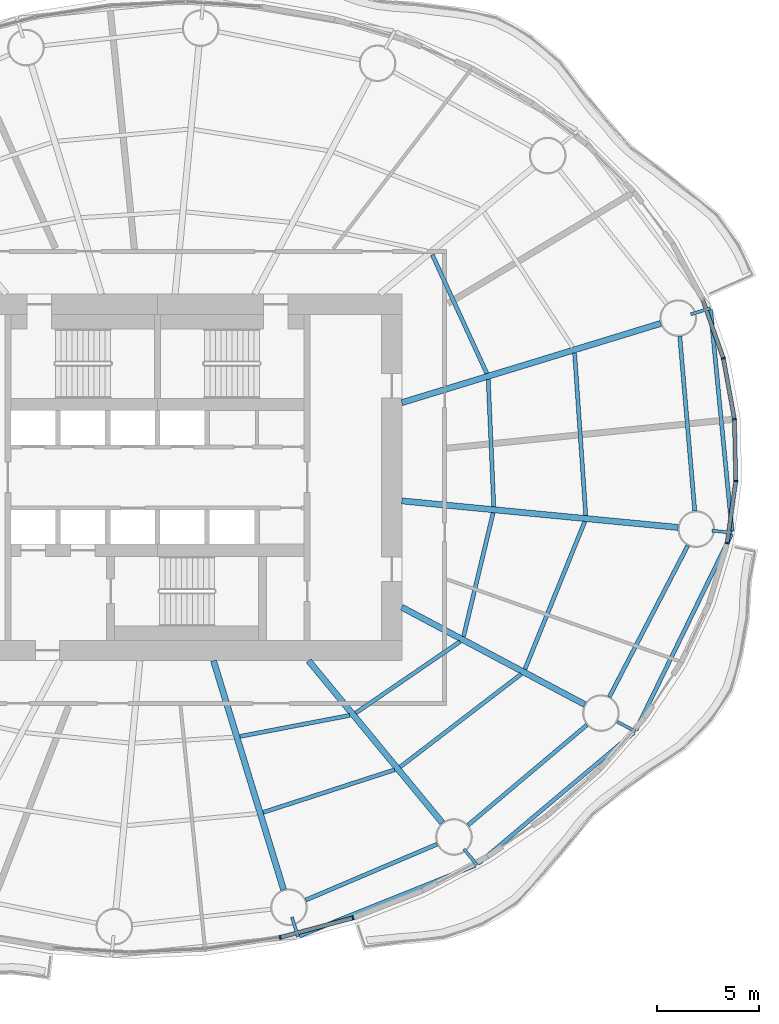
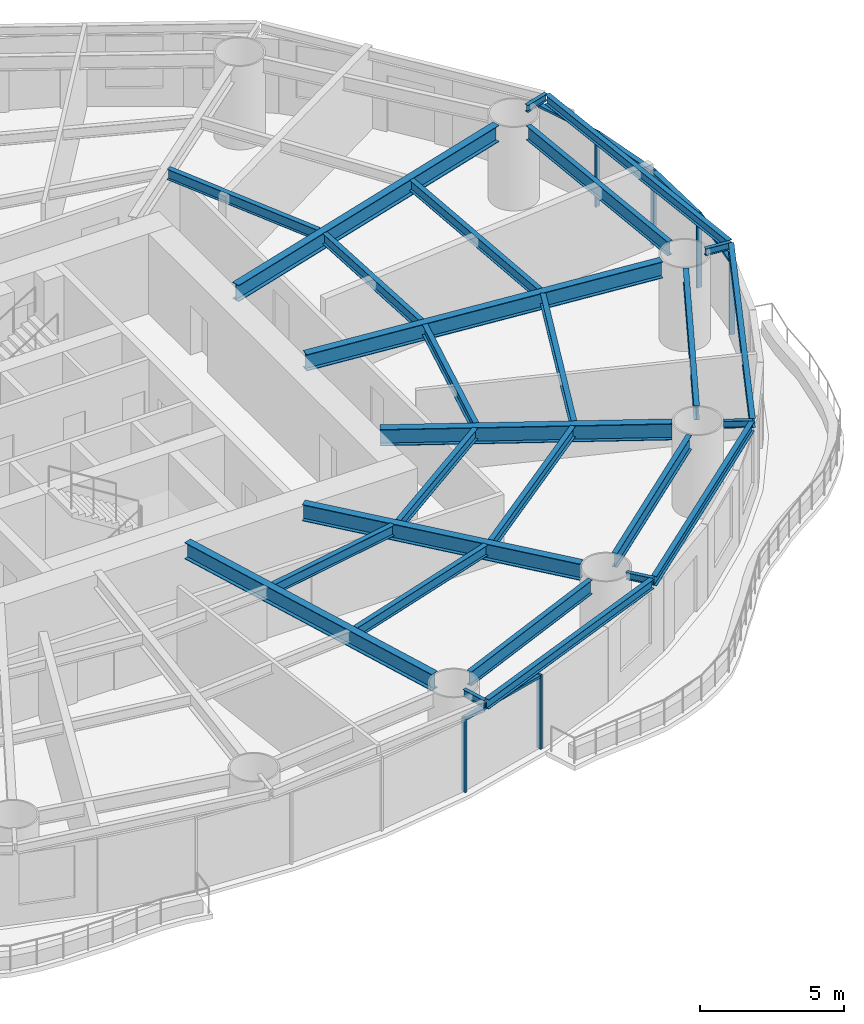
# One storey, part 4 of 16: 27 beams, 11 members, 5 elements without a shape of their own.
"""IFC4 building model written with IfcOpenShell, lengths in metres."""

from ifc_helpers import new_model, si_unit, direction, frame, origin, origin_2d, place, context, subcontext, project, spatial, rectangle, i_section, extrude, material, material_profile, profile_set, type_object, element, aggregate, save


model = new_model("IFC4")

# Units and contexts
model_context = context("Model", 3, precision=1e-05, world=origin(), true_north=direction((0.0, 1.0)))
body_context = subcontext(model_context, "Body", "Model", "MODEL_VIEW")
ifc_project = project(units=[si_unit("LENGTHUNIT", "METRE"), si_unit("AREAUNIT", "SQUARE_METRE"), si_unit("VOLUMEUNIT", "CUBIC_METRE"), si_unit("PLANEANGLEUNIT", "RADIAN"), si_unit("MASSUNIT", "GRAM", prefix="KILO")], contexts=[model_context])

# Site, building, storey
site_placement = place(None, origin())
site = spatial("IfcSite", under=ifc_project, at=site_placement, CompositionType="ELEMENT")
building_placement = place(site_placement, origin())
building = spatial("IfcBuilding", under=site, at=building_placement, Name="Vermilion Reach Broadcast Tower", CompositionType="ELEMENT")
storey_placement = place(building_placement, frame((0.0, 0.0, 58.199951171875)))
storey = spatial("IfcBuildingStorey", under=building, at=storey_placement, Name="L11", CompositionType="ELEMENT", Elevation=58.199951171875)

# Beams
ifc_material_1 = material(Name="Steel S355J2", Category="steel")
ifc_material_profile_1 = material_profile(ifc_material_1, i_section(OverallWidth=0.199951171875, OverallDepth=0.39990234375, WebThickness=0.008056640625, FlangeThickness=0.012939453125, at=origin_2d()), Name="S355J2 HN 400x200x8x13")
ifc_profile_set_1 = profile_set([ifc_material_profile_1], Name="Steel S355J2")
beam_type_1 = type_object("IfcBeamType", Name="EB1 HN 400x200x8x13", PredefinedType="BEAM", material=ifc_profile_set_1)
beam_1_placement = place(storey_placement, frame((0.967529296875, -22.519287109375, 3.35009765625), z_axis=(0.928160049429, 0.372181303457, 0.0), x_axis=(-0.372181303457, 0.928160049429, 0.0)))
element("IfcBeam", 1, at=beam_1_placement, inside=storey, type_object=beam_type_1, Name="Edge beam EB1-13", PredefinedType="BEAM", context=body_context, shape_type="SweptSolid", body=[
    extrude(i_section(OverallWidth=0.199951171875, OverallDepth=0.39990234375, WebThickness=0.008056640625, FlangeThickness=0.012939453125, at=origin_2d()), origin(), (0.0, 0.0, 1.0), 9.3154296875),
])
beam_2_placement = place(storey_placement, frame((9.744140625, -18.974609375, 3.35009765625), z_axis=(0.764932059921, 0.644110971577, 0.0), x_axis=(-0.644110971577, 0.764932059921, 0.0)))
element("IfcBeam", 2, at=beam_2_placement, inside=storey, type_object=beam_type_1, Name="Edge beam EB1-14", PredefinedType="BEAM", context=body_context, shape_type="SweptSolid", body=[
    extrude(i_section(OverallWidth=0.199951171875, OverallDepth=0.39990234375, WebThickness=0.008056640625, FlangeThickness=0.012939453125, at=origin_2d()), origin(), (0.0, 0.0, 1.0), 10.014404296875),
])
beam_3_placement = place(storey_placement, frame((17.499267578125, -12.404541015625, 3.35009765625), z_axis=(0.438322506775, 0.89881776799, 0.0), x_axis=(-0.89881776799, 0.438322506775, 0.0)))
element("IfcBeam", 3, at=beam_3_placement, inside=storey, type_object=beam_type_1, Name="Edge beam EB1-15", PredefinedType="BEAM", context=body_context, shape_type="SweptSolid", body=[
    extrude(i_section(OverallWidth=0.199951171875, OverallDepth=0.39990234375, WebThickness=0.008056640625, FlangeThickness=0.012939453125, at=origin_2d()), origin(), (0.0, 0.0, 1.0), 10.70263671875),
])
beam_4_placement = place(storey_placement, frame((22.21826171875, -2.63671875, 3.35009765625), z_axis=(-0.096862266067, 0.995297795342, 0.0), x_axis=(-0.995297795342, -0.096862266067, 0.0)))
element("IfcBeam", 4, at=beam_4_placement, inside=storey, type_object=beam_type_1, Name="Edge beam EB1-16", PredefinedType="BEAM", context=body_context, shape_type="SweptSolid", body=[
    extrude(i_section(OverallWidth=0.199951171875, OverallDepth=0.39990234375, WebThickness=0.008056640625, FlangeThickness=0.012939453125, at=origin_2d()), origin(), (0.0, 0.0, 1.0), 10.918701171875),
])
ifc_material_2 = material(Name="Steel S355J2", Category="steel")
ifc_material_profile_2 = material_profile(ifc_material_2, i_section(OverallWidth=0.300048828125, OverallDepth=0.699951171875, WebThickness=0.012939453125, FlangeThickness=0.02392578125, at=origin_2d()), Name="S355J2 HN 700x300x13x24")
ifc_profile_set_2 = profile_set([ifc_material_profile_2], Name="Steel S355J2")
beam_type_2 = type_object("IfcBeamType", Name="G1 HN 700x300x13x24", PredefinedType="BEAM", material=ifc_profile_set_2)
beam_5_placement = place(storey_placement, frame((6.0, 3.671142578125, 3.199951171875), z_axis=(0.956255735186, 0.292531996409, 0.0), x_axis=(-0.292531996409, 0.956255735186, 0.0)))
element("IfcBeam", 5, at=beam_5_placement, inside=storey, type_object=beam_type_2, Name="Girder G1-01", PredefinedType="BEAM", context=body_context, shape_type="SweptSolid", body=[
    extrude(i_section(OverallWidth=0.300048828125, OverallDepth=0.699951171875, WebThickness=0.012939453125, FlangeThickness=0.02392578125, at=origin_2d()), origin(), (0.0, 0.0, 1.0), 13.29638671875),
])
beam_6_placement = place(storey_placement, frame((-3.246826171875, -9.0, 3.199951171875), z_axis=(0.292542302886, -0.95625258223, 0.0), x_axis=(0.95625258223, 0.292542302886, 0.0)))
element("IfcBeam", 6, at=beam_6_placement, inside=storey, type_object=beam_type_2, Name="Girder G1-13", PredefinedType="BEAM", context=body_context, shape_type="SweptSolid", body=[
    extrude(i_section(OverallWidth=0.300048828125, OverallDepth=0.699951171875, WebThickness=0.012939453125, FlangeThickness=0.02392578125, at=origin_2d()), origin(), (0.0, 0.0, 1.0), 11.76220703125),
])
beam_7_placement = place(storey_placement, frame((1.421630859375, -9.0, 3.199951171875), z_axis=(0.636215165107, -0.77151167437, 0.0), x_axis=(0.77151167437, 0.636215165107, 0.0)))
element("IfcBeam", 7, at=beam_7_placement, inside=storey, type_object=beam_type_2, Name="Girder G1-14", PredefinedType="BEAM", context=body_context, shape_type="SweptSolid", body=[
    extrude(i_section(OverallWidth=0.300048828125, OverallDepth=0.699951171875, WebThickness=0.012939453125, FlangeThickness=0.02392578125, at=origin_2d()), origin(), (0.0, 0.0, 1.0), 10.3251953125),
])
beam_8_placement = place(storey_placement, frame((6.0, -6.3779296875, 3.199951171875), z_axis=(0.883032139419, -0.469312519279, 0.0), x_axis=(0.469312519279, 0.883032139419, 0.0)))
element("IfcBeam", 8, at=beam_8_placement, inside=storey, type_object=beam_type_2, Name="Girder G1-15", PredefinedType="BEAM", context=body_context, shape_type="SweptSolid", body=[
    extrude(i_section(OverallWidth=0.300048828125, OverallDepth=0.699951171875, WebThickness=0.012939453125, FlangeThickness=0.02392578125, at=origin_2d()), origin(), (0.0, 0.0, 1.0), 10.17529296875),
])
beam_9_placement = place(storey_placement, frame((6.0, -1.1533203125, 3.199951171875), z_axis=(0.995412178872, -0.095679643363, 0.0), x_axis=(0.095679643363, 0.995412178872, 0.0)))
element("IfcBeam", 9, at=beam_9_placement, inside=storey, type_object=beam_type_2, Name="Girder G1-16", PredefinedType="BEAM", context=body_context, shape_type="SweptSolid", body=[
    extrude(i_section(OverallWidth=0.300048828125, OverallDepth=0.699951171875, WebThickness=0.012939453125, FlangeThickness=0.02392578125, at=origin_2d()), origin(), (0.0, 0.0, 1.0), 13.630859375),
])
ifc_material_3 = material(Name="Steel S355J2", Category="steel")
ifc_material_profile_3 = material_profile(ifc_material_3, i_section(OverallWidth=0.14990234375, OverallDepth=0.300048828125, WebThickness=0.006591796875, FlangeThickness=0.009033203125, at=origin_2d()), Name="S355J2 HN 300x150x6.5x9")
ifc_profile_set_3 = profile_set([ifc_material_profile_3], Name="Steel S355J2")
beam_type_3 = type_object("IfcBeamType", Name="GS1 HN 300x150x6.5x9", PredefinedType="BEAM", material=ifc_profile_set_3)
for number, where, z_axis, x_axis, name in (
    (10, (20.197021484375, 8.01416015625, 3.400146484375), (0.95627383467, 0.292472824594, 0.0), (-0.292472824594, 0.95627383467, 0.0), "Cantilever stub GS1-01"),
    (11, (0.605224609375, -21.591064453125, 3.400146484375), (0.292472824594, -0.95627383467, 0.0), (0.95627383467, 0.292472824594, 0.0), "Cantilever stub GS1-13"),
    (12, (9.050537109375, -18.25146484375, 3.400146484375), (0.636237674108, -0.771493112118, 0.0), (0.771493112118, 0.636237674108, 0.0), "Cantilever stub GS1-14"),
):
    element("IfcBeam", number, at=place(storey_placement, frame(where, z_axis=z_axis, x_axis=x_axis)), inside=storey, type_object=beam_type_3, Name=name, PredefinedType="BEAM", context=body_context, shape_type="SweptSolid", body=[
        extrude(i_section(OverallWidth=0.14990234375, OverallDepth=0.300048828125, WebThickness=0.006591796875, FlangeThickness=0.009033203125, at=origin_2d()), origin(), (0.0, 0.0, 1.0), 1.0),
    ])
beam_10_placement = place(storey_placement, frame((16.574462890625, -11.998046875, 3.400146484375), z_axis=(0.883081287803, -0.469220032747, 0.0), x_axis=(0.469220032747, 0.883081287803, 0.0)))
element("IfcBeam", 13, at=beam_10_placement, inside=storey, type_object=beam_type_3, Name="Cantilever stub GS1-15", PredefinedType="BEAM", context=body_context, shape_type="SweptSolid", body=[
    extrude(i_section(OverallWidth=0.14990234375, OverallDepth=0.300048828125, WebThickness=0.006591796875, FlangeThickness=0.009033203125, at=origin_2d()), origin(), (0.0, 0.0, 1.0), 1.010009765625),
])
beam_11_placement = place(storey_placement, frame((21.230224609375, -2.6171875, 3.400146484375), z_axis=(0.995409476419, -0.095707754417, 0.0), x_axis=(0.095707754417, 0.995409476419, 0.0)))
element("IfcBeam", 14, at=beam_11_placement, inside=storey, type_object=beam_type_3, Name="Cantilever stub GS1-16", PredefinedType="BEAM", context=body_context, shape_type="SweptSolid", body=[
    extrude(i_section(OverallWidth=0.14990234375, OverallDepth=0.300048828125, WebThickness=0.006591796875, FlangeThickness=0.009033203125, at=origin_2d()), origin(), (0.0, 0.0, 1.0), 1.0),
])
ifc_material_4 = material(Name="Steel S355J2", Category="steel")
ifc_material_profile_4 = material_profile(ifc_material_4, i_section(OverallWidth=0.199951171875, OverallDepth=0.60009765625, WebThickness=0.010986328125, FlangeThickness=0.01708984375, at=origin_2d()), Name="S355J2 HN 600x200x11x17")
ifc_profile_set_4 = profile_set([ifc_material_profile_4], Name="Steel S355J2")
beam_type_4 = type_object("IfcBeamType", Name="RB1 HN 600x200x11x17", PredefinedType="BEAM", material=ifc_profile_set_4)
beam_12_placement = place(storey_placement, frame((1.28564453125, -20.755859375, 3.25), z_axis=(0.920220846584, 0.391399531825, 0.0), x_axis=(-0.391399531825, 0.920220846584, 0.0)))
element("IfcBeam", 15, at=beam_12_placement, inside=storey, type_object=beam_type_4, Name="Ring beam RB1-13", PredefinedType="BEAM", context=body_context, shape_type="SweptSolid", body=[
    extrude(i_section(OverallWidth=0.199951171875, OverallDepth=0.60009765625, WebThickness=0.010986328125, FlangeThickness=0.01708984375, at=origin_2d()), origin(), (0.0, 0.0, 1.0), 7.008544921875),
])
beam_13_placement = place(storey_placement, frame((9.251220703125, -17.080322265625, 3.25), z_axis=(0.764512441084, 0.6446089725, 0.0), x_axis=(-0.6446089725, 0.764512441084, 0.0)))
element("IfcBeam", 16, at=beam_13_placement, inside=storey, type_object=beam_type_4, Name="Ring beam RB1-14", PredefinedType="BEAM", context=body_context, shape_type="SweptSolid", body=[
    extrude(i_section(OverallWidth=0.199951171875, OverallDepth=0.60009765625, WebThickness=0.010986328125, FlangeThickness=0.01708984375, at=origin_2d()), origin(), (0.0, 0.0, 1.0), 7.6396484375),
])
beam_14_placement = place(storey_placement, frame((16.194091796875, -10.776611328125, 3.25), z_axis=(0.460411617218, 0.887705549566, 0.0), x_axis=(-0.887705549566, 0.460411617218, 0.0)))
element("IfcBeam", 17, at=beam_14_placement, inside=storey, type_object=beam_type_4, Name="Ring beam RB1-15", PredefinedType="BEAM", context=body_context, shape_type="SweptSolid", body=[
    extrude(i_section(OverallWidth=0.199951171875, OverallDepth=0.60009765625, WebThickness=0.010986328125, FlangeThickness=0.01708984375, at=origin_2d()), origin(), (0.0, 0.0, 1.0), 8.37451171875),
])
beam_15_placement = place(storey_placement, frame((20.38720703125, -1.646728515625, 3.25), z_axis=(-0.085395508608, 0.996347131832, 0.0), x_axis=(-0.996347131832, -0.085395508608, 0.0)))
element("IfcBeam", 18, at=beam_15_placement, inside=storey, type_object=beam_type_4, Name="Ring beam RB1-16", PredefinedType="BEAM", context=body_context, shape_type="SweptSolid", body=[
    extrude(i_section(OverallWidth=0.199951171875, OverallDepth=0.60009765625, WebThickness=0.010986328125, FlangeThickness=0.01708984375, at=origin_2d()), origin(), (0.0, 0.0, 1.0), 8.60546875),
])
ifc_material_5 = material(Name="Steel S355J2", Category="steel")
ifc_material_profile_5 = material_profile(ifc_material_5, i_section(OverallWidth=0.199951171875, OverallDepth=0.449951171875, WebThickness=0.009033203125, FlangeThickness=0.013916015625, at=origin_2d()), Name="S355J2 HN 450x200x9x14")
ifc_profile_set_5 = profile_set([ifc_material_profile_5], Name="Steel S355J2")
beam_type_5 = type_object("IfcBeamType", Name="SB1 HN 450x200x9x14", PredefinedType="BEAM", material=ifc_profile_set_5)
beam_16_placement = place(storey_placement, frame((10.175048828125, 5.105224609375, 3.324951171875), z_axis=(-0.417211452529, 0.908809443106, 0.0), x_axis=(-0.908809443106, -0.417211452529, 0.0)))
element("IfcBeam", 19, at=beam_16_placement, inside=storey, type_object=beam_type_5, Name="Secondary beam SB1-01-1", PredefinedType="BEAM", context=body_context, shape_type="SweptSolid", body=[
    extrude(i_section(OverallWidth=0.199951171875, OverallDepth=0.449951171875, WebThickness=0.009033203125, FlangeThickness=0.013916015625, at=origin_2d()), origin(), (0.0, 0.0, 1.0), 6.41650390625),
])
beam_17_placement = place(storey_placement, frame((-1.95166015625, -12.720703125, 3.324951171875), z_axis=(0.982151348822, 0.188092339045, 0.0), x_axis=(-0.188092339045, 0.982151348822, 0.0)))
element("IfcBeam", 20, at=beam_17_placement, inside=storey, type_object=beam_type_5, Name="Secondary beam SB1-13-1", PredefinedType="BEAM", context=body_context, shape_type="SweptSolid", body=[
    extrude(i_section(OverallWidth=0.199951171875, OverallDepth=0.449951171875, WebThickness=0.009033203125, FlangeThickness=0.013916015625, at=origin_2d()), origin(), (0.0, 0.0, 1.0), 5.4931640625),
])
beam_18_placement = place(storey_placement, frame((-0.81005859375, -16.4521484375, 3.324951171875), z_axis=(0.951332300844, 0.308166924523, 0.0), x_axis=(-0.308166924523, 0.951332300844, 0.0)))
element("IfcBeam", 21, at=beam_18_placement, inside=storey, type_object=beam_type_5, Name="Secondary beam SB1-13-2", PredefinedType="BEAM", context=body_context, shape_type="SweptSolid", body=[
    extrude(i_section(OverallWidth=0.199951171875, OverallDepth=0.449951171875, WebThickness=0.009033203125, FlangeThickness=0.013916015625, at=origin_2d()), origin(), (0.0, 0.0, 1.0), 6.787841796875),
])
beam_19_placement = place(storey_placement, frame((3.735595703125, -11.5703125, 3.324951171875), z_axis=(0.825140253447, 0.564927926502, 0.0), x_axis=(-0.564927926502, 0.825140253447, 0.0)))
element("IfcBeam", 22, at=beam_19_placement, inside=storey, type_object=beam_type_5, Name="Secondary beam SB1-14-1", PredefinedType="BEAM", context=body_context, shape_type="SweptSolid", body=[
    extrude(i_section(OverallWidth=0.199951171875, OverallDepth=0.449951171875, WebThickness=0.009033203125, FlangeThickness=0.013916015625, at=origin_2d()), origin(), (0.0, 0.0, 1.0), 6.20458984375),
])
beam_20_placement = place(storey_placement, frame((5.920166015625, -14.21923828125, 3.324951171875), z_axis=(0.793349617473, 0.60876628065, 0.0), x_axis=(-0.60876628065, 0.793349617473, 0.0)))
element("IfcBeam", 23, at=beam_20_placement, inside=storey, type_object=beam_type_5, Name="Secondary beam SB1-14-2", PredefinedType="BEAM", context=body_context, shape_type="SweptSolid", body=[
    extrude(i_section(OverallWidth=0.199951171875, OverallDepth=0.449951171875, WebThickness=0.009033203125, FlangeThickness=0.013916015625, at=origin_2d()), origin(), (0.0, 0.0, 1.0), 7.486328125),
])
beam_21_placement = place(storey_placement, frame((9.031005859375, -7.81884765625, 3.324951171875), z_axis=(0.232844467589, 0.972513986487, 0.0), x_axis=(-0.972513986487, 0.232844467589, 0.0)))
element("IfcBeam", 24, at=beam_21_placement, inside=storey, type_object=beam_type_5, Name="Secondary beam SB1-15-1", PredefinedType="BEAM", context=body_context, shape_type="SweptSolid", body=[
    extrude(i_section(OverallWidth=0.199951171875, OverallDepth=0.449951171875, WebThickness=0.009033203125, FlangeThickness=0.013916015625, at=origin_2d()), origin(), (0.0, 0.0, 1.0), 6.25537109375),
])
beam_22_placement = place(storey_placement, frame((12.046630859375, -9.421630859375, 3.324951171875), z_axis=(0.375640669938, 0.926765389453, 0.0), x_axis=(-0.926765389453, 0.375640669938, 0.0)))
element("IfcBeam", 25, at=beam_22_placement, inside=storey, type_object=beam_type_5, Name="Secondary beam SB1-15-2", PredefinedType="BEAM", context=body_context, shape_type="SweptSolid", body=[
    extrude(i_section(OverallWidth=0.199951171875, OverallDepth=0.449951171875, WebThickness=0.009033203125, FlangeThickness=0.013916015625, at=origin_2d()), origin(), (0.0, 0.0, 1.0), 7.8271484375),
])
beam_23_placement = place(storey_placement, frame((10.51611328125, -1.436767578125, 3.324951171875), z_axis=(-0.043361007512, 0.999059469215, 0.0), x_axis=(-0.999059469215, -0.043361007512, 0.0)))
element("IfcBeam", 26, at=beam_23_placement, inside=storey, type_object=beam_type_5, Name="Secondary beam SB1-16-1", PredefinedType="BEAM", context=body_context, shape_type="SweptSolid", body=[
    extrude(i_section(OverallWidth=0.199951171875, OverallDepth=0.449951171875, WebThickness=0.009033203125, FlangeThickness=0.013916015625, at=origin_2d()), origin(), (0.0, 0.0, 1.0), 6.25537109375),
])
beam_24_placement = place(storey_placement, frame((15.03515625, -1.87109375, 3.324951171875), z_axis=(-0.068507801475, 0.997650580683, 0.0), x_axis=(-0.997650580683, -0.068507801475, 0.0)))
element("IfcBeam", 27, at=beam_24_placement, inside=storey, type_object=beam_type_5, Name="Secondary beam SB1-16-2", PredefinedType="BEAM", context=body_context, shape_type="SweptSolid", body=[
    extrude(i_section(OverallWidth=0.199951171875, OverallDepth=0.449951171875, WebThickness=0.009033203125, FlangeThickness=0.013916015625, at=origin_2d()), origin(), (0.0, 0.0, 1.0), 8.00048828125),
])

# Curtain wall, member
ifc_material_6 = material(Name="Low-e laminated clear glass in aluminium frame", Category="aluminium")
curtain_wall_type = type_object("IfcCurtainWallType", Name="Slot curtain wall", PredefinedType="NOTDEFINED", material=ifc_material_6)
placement = place(storey_placement, origin())
curtain_wall_1 = element("IfcCurtainWall", 28, at=placement, inside=storey, type_object=curtain_wall_type, Name="Slot curtain wall L11 46", PredefinedType="NOTDEFINED")
ifc_material_7 = material(Name="Anodised aluminium", Category="aluminium")
ifc_material_profile_6 = material_profile(ifc_material_7, rectangle(XDim=0.199951171875, YDim=0.080078125, at=origin_2d()), Name="Slot mullion 80 x 200")
ifc_profile_set_6 = profile_set([ifc_material_profile_6], Name="Anodised aluminium")
member_type_1 = type_object("IfcMemberType", Name="Slot mullion 80 x 200", PredefinedType="MULLION", material=ifc_profile_set_6)
member_1_placement = place(storey_placement, frame((21.977783203125, -3.21875, 0.0), z_axis=(0.0, 0.0, 1.0), x_axis=(-0.97699560927, 0.213259418239, 0.0)))
member_1 = element("IfcMember", 29, at=member_1_placement, type_object=member_type_1, Name="Slot mullion L11 46", PredefinedType="MULLION", context=body_context, shape_type="SweptSolid", body=[
    extrude(rectangle(XDim=0.199951171875, YDim=0.080078125, at=origin_2d()), origin(), (0.0, 0.0, 1.0), 3.150146484375),
])

curtain_wall_2 = element("IfcCurtainWall", 30, at=placement, inside=storey, type_object=curtain_wall_type, Name="Slot curtain wall L11 47", PredefinedType="NOTDEFINED")
member_2_placement = place(storey_placement, frame((22.3984375, -0.181396484375, 0.0), z_axis=(0.0, 0.0, 1.0), x_axis=(-0.998292344192, 0.058415713014, 0.0)))
member_2 = element("IfcMember", 31, at=member_2_placement, type_object=member_type_1, Name="Slot mullion L11 47", PredefinedType="MULLION", context=body_context, shape_type="SweptSolid", body=[
    extrude(rectangle(XDim=0.199951171875, YDim=0.080078125, at=origin_2d()), origin(), (0.0, 0.0, 1.0), 3.150146484375),
])

curtain_wall_3 = element("IfcCurtainWall", 32, at=placement, inside=storey, type_object=curtain_wall_type, Name="Slot curtain wall L11 00", PredefinedType="NOTDEFINED")
member_3_placement = place(storey_placement, frame((22.33544921875, 2.858154296875, 0.0), z_axis=(0.0, 0.0, 1.0), x_axis=(-0.994951015834, -0.100361726225, 0.0)))
member_3 = element("IfcMember", 33, at=member_3_placement, type_object=member_type_1, Name="Slot mullion L11 00", PredefinedType="MULLION", context=body_context, shape_type="SweptSolid", body=[
    extrude(rectangle(XDim=0.199951171875, YDim=0.080078125, at=origin_2d()), origin(), (0.0, 0.0, 1.0), 3.150146484375),
])

curtain_wall_4 = element("IfcCurtainWall", 34, at=placement, inside=storey, type_object=curtain_wall_type, Name="Slot curtain wall L11 01", PredefinedType="NOTDEFINED")
member_4_placement = place(storey_placement, frame((21.7900390625, 5.84912109375, 0.0), z_axis=(0.0, 0.0, 1.0), x_axis=(-0.966515591706, -0.256607893466, 0.0)))
member_4 = element("IfcMember", 35, at=member_4_placement, type_object=member_type_1, Name="Slot mullion L11 01", PredefinedType="MULLION", context=body_context, shape_type="SweptSolid", body=[
    extrude(rectangle(XDim=0.199951171875, YDim=0.080078125, at=origin_2d()), origin(), (0.0, 0.0, 1.0), 3.150146484375),
])

# Curtain wall, members
curtain_wall_5 = element("IfcCurtainWall", 36, at=placement, inside=storey, type_object=curtain_wall_type, Name="Slot curtain wall L11 37", PredefinedType="NOTDEFINED")
member_5_placement = place(storey_placement, frame((0.022216796875, -22.592529296875, 0.0), z_axis=(0.0, 0.0, 1.0), x_axis=(-0.206647011031, 0.978415562444, 0.0)))
member_5 = element("IfcMember", 37, at=member_5_placement, type_object=member_type_1, Name="Slot mullion L11 37", PredefinedType="MULLION", context=body_context, shape_type="SweptSolid", body=[
    extrude(rectangle(XDim=0.199951171875, YDim=0.080078125, at=origin_2d()), origin(), (0.0, 0.0, 1.0), 3.150146484375),
])
member_6_placement = place(storey_placement, frame((3.603759765625, -21.6318359375, 0.0), z_axis=(0.0, 0.0, 1.0), x_axis=(-0.311688190908, 0.950184440858, 0.0)))
member_6 = element("IfcMember", 38, at=member_6_placement, type_object=member_type_1, Name="Slot mullion L11 38", PredefinedType="MULLION", context=body_context, shape_type="SweptSolid", body=[
    extrude(rectangle(XDim=0.199951171875, YDim=0.080078125, at=origin_2d()), origin(), (0.0, 0.0, 1.0), 3.150146484375),
])

# Member
ifc_material_8 = material(Name="Anodised aluminium", Category="aluminium")
ifc_material_profile_7 = material_profile(ifc_material_8, rectangle(XDim=0.199951171875, YDim=0.10009765625, at=origin_2d()), Name="Slot transom 200 x 100")
ifc_profile_set_7 = profile_set([ifc_material_profile_7], Name="Anodised aluminium")
member_type_2 = type_object("IfcMemberType", Name="Slot transom 200 x 100", PredefinedType="USERDEFINED", material=ifc_profile_set_7)
member_7_placement = place(storey_placement, frame((21.983154296875, -3.17919921875, 3.10009765625), z_axis=(0.137174036644, 0.99054696187, 0.0), x_axis=(-0.99054696187, 0.137174036644, 0.0)))
member_7 = element("IfcMember", 39, at=member_7_placement, type_object=member_type_2, Name="Slot transom L11 46.1", ObjectType="TRANSOM", PredefinedType="USERDEFINED", context=body_context, shape_type="SweptSolid", body=[
    extrude(rectangle(XDim=0.199951171875, YDim=0.10009765625, at=origin_2d()), origin(), (0.0, 0.0, 1.0), 2.986572265625),
])

aggregate(curtain_wall_1, [member_1, member_7])

member_8_placement = place(storey_placement, frame((22.3974609375, -0.141357421875, 3.10009765625), z_axis=(-0.020701716699, 0.9997856965, 0.0), x_axis=(-0.9997856965, -0.020701716699, 0.0)))
member_8 = element("IfcMember", 40, at=member_8_placement, type_object=member_type_2, Name="Slot transom L11 47.1", ObjectType="TRANSOM", PredefinedType="USERDEFINED", context=body_context, shape_type="SweptSolid", body=[
    extrude(rectangle(XDim=0.199951171875, YDim=0.10009765625, at=origin_2d()), origin(), (0.0, 0.0, 1.0), 2.960205078125),
])

aggregate(curtain_wall_2, [member_2, member_8])

member_9_placement = place(storey_placement, frame((22.328369140625, 2.8974609375, 3.10009765625), z_axis=(-0.179371657869, 0.983781382398, 0.0), x_axis=(-0.983781382398, -0.179371657869, 0.0)))
member_9 = element("IfcMember", 41, at=member_9_placement, type_object=member_type_2, Name="Slot transom L11 00.1", ObjectType="TRANSOM", PredefinedType="USERDEFINED", context=body_context, shape_type="SweptSolid", body=[
    extrude(rectangle(XDim=0.199951171875, YDim=0.10009765625, at=origin_2d()), origin(), (0.0, 0.0, 1.0), 2.96044921875),
])

aggregate(curtain_wall_3, [member_3, member_9])

member_10_placement = place(storey_placement, frame((21.77685546875, 5.886962890625, 3.10009765625), z_axis=(-0.332247025755, 0.943192405545, 0.0), x_axis=(-0.943192405545, -0.332247025755, 0.0)))
member_10 = element("IfcMember", 42, at=member_10_placement, type_object=member_type_2, Name="Slot transom L11 01.1", ObjectType="TRANSOM", PredefinedType="USERDEFINED", context=body_context, shape_type="SweptSolid", body=[
    extrude(rectangle(XDim=0.199951171875, YDim=0.10009765625, at=origin_2d()), origin(), (0.0, 0.0, 1.0), 2.986328125),
])

aggregate(curtain_wall_4, [member_4, member_10])

member_11_placement = place(storey_placement, frame((0.060791015625, -22.582275390625, 3.10009765625), z_axis=(0.965844069458, 0.259123973212, 0.0), x_axis=(-0.259123973212, 0.965844069458, 0.0)))
member_11 = element("IfcMember", 43, at=member_11_placement, type_object=member_type_2, Name="Slot transom L11 37.1", ObjectType="TRANSOM", PredefinedType="USERDEFINED", context=body_context, shape_type="SweptSolid", body=[
    extrude(rectangle(XDim=0.199951171875, YDim=0.10009765625, at=origin_2d()), origin(), (0.0, 0.0, 1.0), 3.62841796875),
])

aggregate(curtain_wall_5, [member_5, member_6, member_11])

save(model, "model.ifc")
